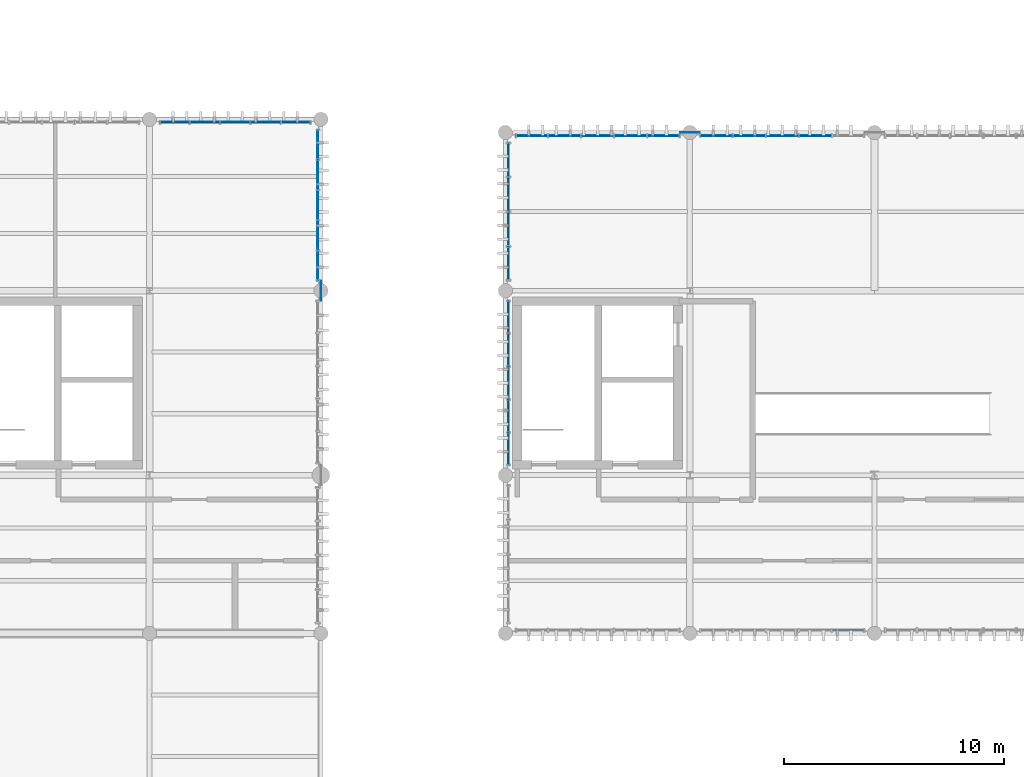
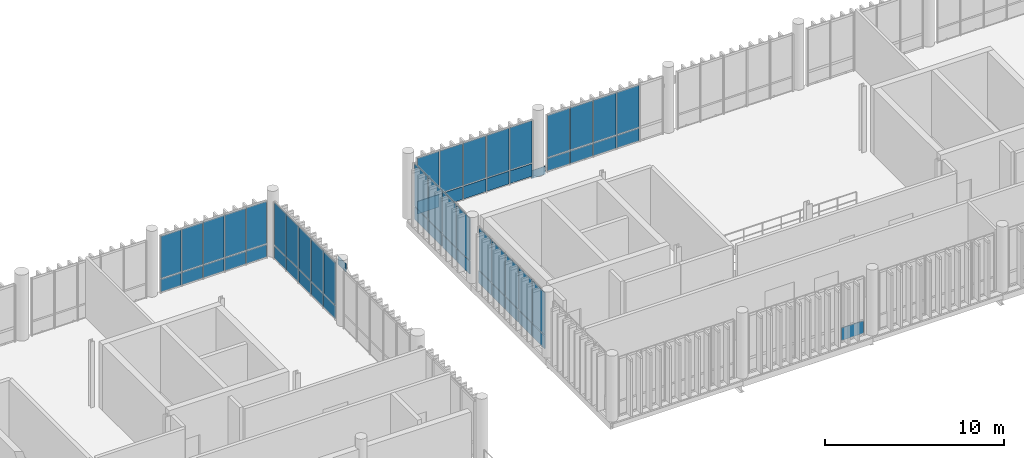
# One storey, part 51 of 66: 59 plates, 7 elements without a shape of their own.
"""IFC4 building model written with IfcOpenShell, lengths in metres."""

from ifc_helpers import new_model, si_unit, direction, frame, frame_2d, origin_with_axes, origin_2d_with_axis, place, context, subcontext, project, spatial, rectangle, extrude, material, layer, layer_set, type_object, element, aggregate, save


model = new_model("IFC4")

# Units and contexts
model_context = context("Model", 3, precision=1e-05, world=origin_with_axes(), true_north=direction((0.0, 1.0)))
body_context = subcontext(model_context, "Body", "Model", "MODEL_VIEW")
ifc_project = project(units=[si_unit("LENGTHUNIT", "METRE"), si_unit("AREAUNIT", "SQUARE_METRE"), si_unit("VOLUMEUNIT", "CUBIC_METRE"), si_unit("PLANEANGLEUNIT", "RADIAN"), si_unit("MASSUNIT", "GRAM", prefix="KILO"), si_unit("THERMODYNAMICTEMPERATUREUNIT", "KELVIN")], contexts=[model_context])

# Site, building, storey
site_placement = place(None, origin_with_axes())
site = spatial("IfcSite", under=ifc_project, at=site_placement, CompositionType="ELEMENT")
building_placement = place(site_placement, origin_with_axes())
building = spatial("IfcBuilding", under=site, at=building_placement, Name="Montbau Bow Law Courts", CompositionType="ELEMENT")
storey_placement = place(building_placement, frame((0.0, 0.0, 34.5), z_axis=(0.0, 0.0, 1.0), x_axis=(1.0, 0.0, 0.0)))
storey = spatial("IfcBuildingStorey", under=building, at=storey_placement, Name="L07", CompositionType="ELEMENT", Elevation=34.5)

# Curtain wall, plates
ifc_material_1 = material(Name="Thermally Broken Extruded Aluminium AA 6063-T6", Category="aluminium")
curtain_wall_type_1 = type_object("IfcCurtainWallType", Name="CW-TRC-02", PredefinedType="NOTDEFINED", material=ifc_material_1)
curtain_wall_1_placement = place(None, frame((39.44, 62.26, 34.5), z_axis=(0.0, 0.0, 1.0), x_axis=(1.0, 0.0, 0.0)))
curtain_wall_1 = element("IfcCurtainWall", 1, at=curtain_wall_1_placement, inside=storey, type_object=curtain_wall_type_1, Name="CW-L07-116:cw_0116", PredefinedType="NOTDEFINED")
ifc_material_2 = material(Name="Triple-Glazed Low-E Argon Insulating Glass Unit", Category="glass")
ifc_layer_1 = layer(ifc_material_2, 0.044, Name="Curtain Panel", Category="glass")
ifc_layer_set_1 = layer_set([ifc_layer_1], Name="Triple-Glazed Low-E Argon Insulating Glass Unit")
plate_type_1 = type_object("IfcPlateType", Name="PL-CWP-01", PredefinedType="CURTAIN_PANEL", material=ifc_layer_set_1)
plate_1_placement = place(None, frame((39.502, 62.26, 35.482), z_axis=(0.0, -1.0, 0.0), x_axis=(1.0, 0.0, 0.0)))
plate_1 = element("IfcPlate", 2, at=plate_1_placement, type_object=plate_type_1, Name="CW-L07-116-P01-2:cw_0116_P01_2", PredefinedType="CURTAIN_PANEL", context=body_context, shape_type="SweptSolid", body=[
    extrude(rectangle(XDim=1.29, YDim=2.876, at=frame_2d((0.645, 1.438), x_axis=(1.0, 0.0))), frame((0.0, 0.0, -0.022), z_axis=(0.0, 0.0, 1.0), x_axis=(1.0, 0.0, 0.0)), (0.0, 0.0, 1.0), 0.044),
])
plate_2_placement = place(None, frame((40.856, 62.26, 35.482), z_axis=(0.0, -1.0, 0.0), x_axis=(1.0, 0.0, 0.0)))
plate_2 = element("IfcPlate", 3, at=plate_2_placement, type_object=plate_type_1, Name="CW-L07-116-P02-2:cw_0116_P02_2", PredefinedType="CURTAIN_PANEL", context=body_context, shape_type="SweptSolid", body=[
    extrude(rectangle(XDim=1.32, YDim=2.876, at=frame_2d((0.66, 1.438), x_axis=(1.0, 0.0))), frame((0.0, 0.0, -0.022), z_axis=(0.0, 0.0, 1.0), x_axis=(1.0, 0.0, 0.0)), (0.0, 0.0, 1.0), 0.044),
])
plate_3_placement = place(None, frame((42.24, 62.26, 35.482), z_axis=(0.0, -1.0, 0.0), x_axis=(1.0, 0.0, 0.0)))
plate_3 = element("IfcPlate", 4, at=plate_3_placement, type_object=plate_type_1, Name="CW-L07-116-P03-2:cw_0116_P03_2", PredefinedType="CURTAIN_PANEL", context=body_context, shape_type="SweptSolid", body=[
    extrude(rectangle(XDim=1.32, YDim=2.876, at=frame_2d((0.66, 1.438), x_axis=(1.0, 0.0))), frame((0.0, 0.0, -0.022), z_axis=(0.0, 0.0, 1.0), x_axis=(1.0, 0.0, 0.0)), (0.0, 0.0, 1.0), 0.044),
])
plate_4_placement = place(None, frame((43.624, 62.26, 35.482), z_axis=(0.0, -1.0, 0.0), x_axis=(1.0, 0.0, 0.0)))
plate_4 = element("IfcPlate", 5, at=plate_4_placement, type_object=plate_type_1, Name="CW-L07-116-P04-2:cw_0116_P04_2", PredefinedType="CURTAIN_PANEL", context=body_context, shape_type="SweptSolid", body=[
    extrude(rectangle(XDim=1.32, YDim=2.876, at=frame_2d((0.66, 1.438), x_axis=(1.0, 0.0))), frame((0.0, 0.0, -0.022), z_axis=(0.0, 0.0, 1.0), x_axis=(1.0, 0.0, 0.0)), (0.0, 0.0, 1.0), 0.044),
])
plate_5_placement = place(None, frame((45.008, 62.26, 35.482), z_axis=(0.0, -1.0, 0.0), x_axis=(1.0, 0.0, 0.0)))
plate_5 = element("IfcPlate", 6, at=plate_5_placement, type_object=plate_type_1, Name="CW-L07-116-P05-2:cw_0116_P05_2", PredefinedType="CURTAIN_PANEL", context=body_context, shape_type="SweptSolid", body=[
    extrude(rectangle(XDim=1.29, YDim=2.876, at=frame_2d((0.645, 1.438), x_axis=(1.0, 0.0))), frame((0.0, 0.0, -0.022), z_axis=(0.0, 0.0, 1.0), x_axis=(1.0, 0.0, 0.0)), (0.0, 0.0, 1.0), 0.044),
])

curtain_wall_2_placement = place(None, frame((46.66, 55.04, 34.5), z_axis=(0.0, 0.0, 1.0), x_axis=(1.0, 0.0, 0.0)))
curtain_wall_2 = element("IfcCurtainWall", 7, at=curtain_wall_2_placement, inside=storey, type_object=curtain_wall_type_1, Name="CW-L07-122:cw_0122", PredefinedType="NOTDEFINED")
plate_6_placement = place(None, frame((46.66, 55.102, 35.482), z_axis=(1.0, 0.0, 0.0), x_axis=(0.0, 1.0, 0.0)))
plate_6 = element("IfcPlate", 8, at=plate_6_placement, type_object=plate_type_1, Name="CW-L07-122-P01-2:cw_0122_P01_2", PredefinedType="CURTAIN_PANEL", context=body_context, shape_type="SweptSolid", body=[
    extrude(rectangle(XDim=1.29, YDim=2.876, at=frame_2d((0.645, 1.438), x_axis=(1.0, 0.0))), frame((0.0, 0.0, -0.022), z_axis=(0.0, 0.0, 1.0), x_axis=(1.0, 0.0, 0.0)), (0.0, 0.0, 1.0), 0.044),
])
plate_7_placement = place(None, frame((46.66, 56.456, 35.482), z_axis=(1.0, 0.0, 0.0), x_axis=(0.0, 1.0, 0.0)))
plate_7 = element("IfcPlate", 9, at=plate_7_placement, type_object=plate_type_1, Name="CW-L07-122-P02-2:cw_0122_P02_2", PredefinedType="CURTAIN_PANEL", context=body_context, shape_type="SweptSolid", body=[
    extrude(rectangle(XDim=1.32, YDim=2.876, at=frame_2d((0.66, 1.438), x_axis=(1.0, 0.0))), frame((0.0, 0.0, -0.022), z_axis=(0.0, 0.0, 1.0), x_axis=(1.0, 0.0, 0.0)), (0.0, 0.0, 1.0), 0.044),
])
plate_8_placement = place(None, frame((46.66, 57.84, 35.482), z_axis=(1.0, 0.0, 0.0), x_axis=(0.0, 1.0, 0.0)))
plate_8 = element("IfcPlate", 10, at=plate_8_placement, type_object=plate_type_1, Name="CW-L07-122-P03-2:cw_0122_P03_2", PredefinedType="CURTAIN_PANEL", context=body_context, shape_type="SweptSolid", body=[
    extrude(rectangle(XDim=1.32, YDim=2.876, at=frame_2d((0.66, 1.438), x_axis=(1.0, 0.0))), frame((0.0, 0.0, -0.022), z_axis=(0.0, 0.0, 1.0), x_axis=(1.0, 0.0, 0.0)), (0.0, 0.0, 1.0), 0.044),
])
plate_9_placement = place(None, frame((46.66, 59.224, 35.482), z_axis=(1.0, 0.0, 0.0), x_axis=(0.0, 1.0, 0.0)))
plate_9 = element("IfcPlate", 11, at=plate_9_placement, type_object=plate_type_1, Name="CW-L07-122-P04-2:cw_0122_P04_2", PredefinedType="CURTAIN_PANEL", context=body_context, shape_type="SweptSolid", body=[
    extrude(rectangle(XDim=1.32, YDim=2.876, at=frame_2d((0.66, 1.438), x_axis=(1.0, 0.0))), frame((0.0, 0.0, -0.022), z_axis=(0.0, 0.0, 1.0), x_axis=(1.0, 0.0, 0.0)), (0.0, 0.0, 1.0), 0.044),
])
plate_10_placement = place(None, frame((46.66, 60.608, 35.482), z_axis=(1.0, 0.0, 0.0), x_axis=(0.0, 1.0, 0.0)))
plate_10 = element("IfcPlate", 12, at=plate_10_placement, type_object=plate_type_1, Name="CW-L07-122-P05-2:cw_0122_P05_2", PredefinedType="CURTAIN_PANEL", context=body_context, shape_type="SweptSolid", body=[
    extrude(rectangle(XDim=1.29, YDim=2.876, at=frame_2d((0.645, 1.438), x_axis=(1.0, 0.0))), frame((0.0, 0.0, -0.022), z_axis=(0.0, 0.0, 1.0), x_axis=(1.0, 0.0, 0.0)), (0.0, 0.0, 1.0), 0.044),
])

curtain_wall_type_2 = type_object("IfcCurtainWallType", Name="CW-CRM-02", PredefinedType="NOTDEFINED", material=ifc_material_1)
curtain_wall_3_placement = place(None, frame((55.64, 61.66, 34.5), z_axis=(0.0, 0.0, 1.0), x_axis=(1.0, 0.0, 0.0)))
curtain_wall_3 = element("IfcCurtainWall", 13, at=curtain_wall_3_placement, inside=storey, type_object=curtain_wall_type_2, Name="CW-L07-247:cw_0247", PredefinedType="NOTDEFINED")
plate_11_placement = place(None, frame((55.708, 61.66, 35.48), z_axis=(0.0, -1.0, 0.0), x_axis=(1.0, 0.0, 0.0)))
plate_11 = element("IfcPlate", 14, at=plate_11_placement, type_object=plate_type_1, Name="CW-L07-247-P01-2:cw_0247_P01_2", PredefinedType="CURTAIN_PANEL", context=body_context, shape_type="SweptSolid", body=[
    extrude(rectangle(XDim=1.402, YDim=2.882, at=frame_2d((0.701, 1.441), x_axis=(1.0, 0.0))), frame((0.0, 0.0, -0.022), z_axis=(0.0, 0.0, 1.0), x_axis=(1.0, 0.0, 0.0)), (0.0, 0.0, 1.0), 0.044),
])
plate_12_placement = place(None, frame((57.178, 61.66, 35.48), z_axis=(0.0, -1.0, 0.0), x_axis=(1.0, 0.0, 0.0)))
plate_12 = element("IfcPlate", 15, at=plate_12_placement, type_object=plate_type_1, Name="CW-L07-247-P02-2:cw_0247_P02_2", PredefinedType="CURTAIN_PANEL", context=body_context, shape_type="SweptSolid", body=[
    extrude(rectangle(XDim=1.436, YDim=2.882, at=frame_2d((0.718, 1.441), x_axis=(1.0, 0.0))), frame((0.0, 0.0, -0.022), z_axis=(0.0, 0.0, 1.0), x_axis=(1.0, 0.0, 0.0)), (0.0, 0.0, 1.0), 0.044),
])
plate_13_placement = place(None, frame((58.682, 61.66, 35.48), z_axis=(0.0, -1.0, 0.0), x_axis=(1.0, 0.0, 0.0)))
plate_13 = element("IfcPlate", 16, at=plate_13_placement, type_object=plate_type_1, Name="CW-L07-247-P03-2:cw_0247_P03_2", PredefinedType="CURTAIN_PANEL", context=body_context, shape_type="SweptSolid", body=[
    extrude(rectangle(XDim=1.436, YDim=2.882, at=frame_2d((0.718, 1.441), x_axis=(1.0, 0.0))), frame((0.0, 0.0, -0.022), z_axis=(0.0, 0.0, 1.0), x_axis=(1.0, 0.0, 0.0)), (0.0, 0.0, 1.0), 0.044),
])
plate_14_placement = place(None, frame((60.186, 61.66, 35.48), z_axis=(0.0, -1.0, 0.0), x_axis=(1.0, 0.0, 0.0)))
plate_14 = element("IfcPlate", 17, at=plate_14_placement, type_object=plate_type_1, Name="CW-L07-247-P04-2:cw_0247_P04_2", PredefinedType="CURTAIN_PANEL", context=body_context, shape_type="SweptSolid", body=[
    extrude(rectangle(XDim=1.436, YDim=2.882, at=frame_2d((0.718, 1.441), x_axis=(1.0, 0.0))), frame((0.0, 0.0, -0.022), z_axis=(0.0, 0.0, 1.0), x_axis=(1.0, 0.0, 0.0)), (0.0, 0.0, 1.0), 0.044),
])
plate_15_placement = place(None, frame((61.69, 61.66, 35.48), z_axis=(0.0, -1.0, 0.0), x_axis=(1.0, 0.0, 0.0)))
plate_15 = element("IfcPlate", 18, at=plate_15_placement, type_object=plate_type_1, Name="CW-L07-247-P05-2:cw_0247_P05_2", PredefinedType="CURTAIN_PANEL", context=body_context, shape_type="SweptSolid", body=[
    extrude(rectangle(XDim=1.403, YDim=2.882, at=frame_2d((0.7015, 1.441), x_axis=(1.0, 0.0))), frame((0.0, 0.0, -0.022), z_axis=(0.0, 0.0, 1.0), x_axis=(1.0, 0.0, 0.0)), (0.0, 0.0, 1.0), 0.044),
])

curtain_wall_4_placement = place(None, frame((64.04, 61.66, 34.5), z_axis=(0.0, 0.0, 1.0), x_axis=(1.0, 0.0, 0.0)))
curtain_wall_4 = element("IfcCurtainWall", 19, at=curtain_wall_4_placement, inside=storey, type_object=curtain_wall_type_2, Name="CW-L07-248:cw_0248", PredefinedType="NOTDEFINED")
plate_16_placement = place(None, frame((64.102, 61.66, 35.482), z_axis=(0.0, -1.0, 0.0), x_axis=(1.0, 0.0, 0.0)))
plate_16 = element("IfcPlate", 20, at=plate_16_placement, type_object=plate_type_1, Name="CW-L07-248-P01-2:cw_0248_P01_2", PredefinedType="CURTAIN_PANEL", context=body_context, shape_type="SweptSolid", body=[
    extrude(rectangle(XDim=1.41, YDim=2.876, at=frame_2d((0.705, 1.438), x_axis=(1.0, 0.0))), frame((0.0, 0.0, -0.022), z_axis=(0.0, 0.0, 1.0), x_axis=(1.0, 0.0, 0.0)), (0.0, 0.0, 1.0), 0.044),
])
plate_17_placement = place(None, frame((65.576, 61.66, 35.482), z_axis=(0.0, -1.0, 0.0), x_axis=(1.0, 0.0, 0.0)))
plate_17 = element("IfcPlate", 21, at=plate_17_placement, type_object=plate_type_1, Name="CW-L07-248-P02-2:cw_0248_P02_2", PredefinedType="CURTAIN_PANEL", context=body_context, shape_type="SweptSolid", body=[
    extrude(rectangle(XDim=1.44, YDim=2.876, at=frame_2d((0.72, 1.438), x_axis=(1.0, 0.0))), frame((0.0, 0.0, -0.022), z_axis=(0.0, 0.0, 1.0), x_axis=(1.0, 0.0, 0.0)), (0.0, 0.0, 1.0), 0.044),
])
plate_18_placement = place(None, frame((67.08, 61.66, 35.482), z_axis=(0.0, -1.0, 0.0), x_axis=(1.0, 0.0, 0.0)))
plate_18 = element("IfcPlate", 22, at=plate_18_placement, type_object=plate_type_1, Name="CW-L07-248-P03-2:cw_0248_P03_2", PredefinedType="CURTAIN_PANEL", context=body_context, shape_type="SweptSolid", body=[
    extrude(rectangle(XDim=1.44, YDim=2.876, at=frame_2d((0.72, 1.438), x_axis=(1.0, 0.0))), frame((0.0, 0.0, -0.022), z_axis=(0.0, 0.0, 1.0), x_axis=(1.0, 0.0, 0.0)), (0.0, 0.0, 1.0), 0.044),
])
plate_19_placement = place(None, frame((68.584, 61.66, 35.482), z_axis=(0.0, -1.0, 0.0), x_axis=(1.0, 0.0, 0.0)))
plate_19 = element("IfcPlate", 23, at=plate_19_placement, type_object=plate_type_1, Name="CW-L07-248-P04-2:cw_0248_P04_2", PredefinedType="CURTAIN_PANEL", context=body_context, shape_type="SweptSolid", body=[
    extrude(rectangle(XDim=1.44, YDim=2.876, at=frame_2d((0.72, 1.438), x_axis=(1.0, 0.0))), frame((0.0, 0.0, -0.022), z_axis=(0.0, 0.0, 1.0), x_axis=(1.0, 0.0, 0.0)), (0.0, 0.0, 1.0), 0.044),
])

curtain_wall_5_placement = place(None, frame((55.34, 46.64, 34.5), z_axis=(0.0, 0.0, 1.0), x_axis=(1.0, 0.0, 0.0)))
curtain_wall_5 = element("IfcCurtainWall", 24, at=curtain_wall_5_placement, inside=storey, type_object=curtain_wall_type_2, Name="CW-L07-254:cw_0254", PredefinedType="NOTDEFINED")
plate_20_placement = place(None, frame((55.34, 46.702, 35.482), z_axis=(1.0, 0.0, 0.0), x_axis=(0.0, 1.0, 0.0)))
plate_20 = element("IfcPlate", 25, at=plate_20_placement, type_object=plate_type_1, Name="CW-L07-254-P01-2:cw_0254_P01_2", PredefinedType="CURTAIN_PANEL", context=body_context, shape_type="SweptSolid", body=[
    extrude(rectangle(XDim=1.41, YDim=2.876, at=frame_2d((0.705, 1.438), x_axis=(1.0, 0.0))), frame((0.0, 0.0, -0.022), z_axis=(0.0, 0.0, 1.0), x_axis=(1.0, 0.0, 0.0)), (0.0, 0.0, 1.0), 0.044),
])
plate_21_placement = place(None, frame((55.34, 48.176, 35.482), z_axis=(1.0, 0.0, 0.0), x_axis=(0.0, 1.0, 0.0)))
plate_21 = element("IfcPlate", 26, at=plate_21_placement, type_object=plate_type_1, Name="CW-L07-254-P02-2:cw_0254_P02_2", PredefinedType="CURTAIN_PANEL", context=body_context, shape_type="SweptSolid", body=[
    extrude(rectangle(XDim=1.44, YDim=2.876, at=frame_2d((0.72, 1.438), x_axis=(1.0, 0.0))), frame((0.0, 0.0, -0.022), z_axis=(0.0, 0.0, 1.0), x_axis=(1.0, 0.0, 0.0)), (0.0, 0.0, 1.0), 0.044),
])
plate_22_placement = place(None, frame((55.34, 49.68, 35.482), z_axis=(1.0, 0.0, 0.0), x_axis=(0.0, 1.0, 0.0)))
plate_22 = element("IfcPlate", 27, at=plate_22_placement, type_object=plate_type_1, Name="CW-L07-254-P03-2:cw_0254_P03_2", PredefinedType="CURTAIN_PANEL", context=body_context, shape_type="SweptSolid", body=[
    extrude(rectangle(XDim=1.44, YDim=2.876, at=frame_2d((0.72, 1.438), x_axis=(1.0, 0.0))), frame((0.0, 0.0, -0.022), z_axis=(0.0, 0.0, 1.0), x_axis=(1.0, 0.0, 0.0)), (0.0, 0.0, 1.0), 0.044),
])
plate_23_placement = place(None, frame((55.34, 51.184, 35.482), z_axis=(1.0, 0.0, 0.0), x_axis=(0.0, 1.0, 0.0)))
plate_23 = element("IfcPlate", 28, at=plate_23_placement, type_object=plate_type_1, Name="CW-L07-254-P04-2:cw_0254_P04_2", PredefinedType="CURTAIN_PANEL", context=body_context, shape_type="SweptSolid", body=[
    extrude(rectangle(XDim=1.44, YDim=2.876, at=frame_2d((0.72, 1.438), x_axis=(1.0, 0.0))), frame((0.0, 0.0, -0.022), z_axis=(0.0, 0.0, 1.0), x_axis=(1.0, 0.0, 0.0)), (0.0, 0.0, 1.0), 0.044),
])
plate_24_placement = place(None, frame((55.34, 52.688, 35.482), z_axis=(1.0, 0.0, 0.0), x_axis=(0.0, 1.0, 0.0)))
plate_24 = element("IfcPlate", 29, at=plate_24_placement, type_object=plate_type_1, Name="CW-L07-254-P05-2:cw_0254_P05_2", PredefinedType="CURTAIN_PANEL", context=body_context, shape_type="SweptSolid", body=[
    extrude(rectangle(XDim=1.41, YDim=2.876, at=frame_2d((0.705, 1.438), x_axis=(1.0, 0.0))), frame((0.0, 0.0, -0.022), z_axis=(0.0, 0.0, 1.0), x_axis=(1.0, 0.0, 0.0)), (0.0, 0.0, 1.0), 0.044),
])

curtain_wall_6_placement = place(None, frame((55.34, 55.04, 34.5), z_axis=(0.0, 0.0, 1.0), x_axis=(1.0, 0.0, 0.0)))
curtain_wall_6 = element("IfcCurtainWall", 30, at=curtain_wall_6_placement, inside=storey, type_object=curtain_wall_type_2, Name="CW-L07-255:cw_0255", PredefinedType="NOTDEFINED")
plate_25_placement = place(None, frame((55.34, 55.116, 35.48), z_axis=(1.0, 0.0, 0.0), x_axis=(0.0, 1.0, 0.0)))
plate_25 = element("IfcPlate", 31, at=plate_25_placement, type_object=plate_type_1, Name="CW-L07-255-P01-2:cw_0255_P01_2", PredefinedType="CURTAIN_PANEL", context=body_context, shape_type="SweptSolid", body=[
    extrude(rectangle(XDim=1.464, YDim=2.882, at=frame_2d((0.732, 1.441), x_axis=(1.0, 0.0))), frame((0.0, 0.0, -0.022), z_axis=(0.0, 0.0, 1.0), x_axis=(1.0, 0.0, 0.0)), (0.0, 0.0, 1.0), 0.044),
])
plate_26_placement = place(None, frame((55.34, 56.66, 35.48), z_axis=(1.0, 0.0, 0.0), x_axis=(0.0, 1.0, 0.0)))
plate_26 = element("IfcPlate", 32, at=plate_26_placement, type_object=plate_type_1, Name="CW-L07-255-P02-2:cw_0255_P02_2", PredefinedType="CURTAIN_PANEL", context=body_context, shape_type="SweptSolid", body=[
    extrude(rectangle(XDim=1.501, YDim=2.882, at=frame_2d((0.7505, 1.441), x_axis=(1.0, 0.0))), frame((0.0, 0.0, -0.022), z_axis=(0.0, 0.0, 1.0), x_axis=(1.0, 0.0, 0.0)), (0.0, 0.0, 1.0), 0.044),
])
plate_27_placement = place(None, frame((55.34, 58.24, 35.48), z_axis=(1.0, 0.0, 0.0), x_axis=(0.0, 1.0, 0.0)))
plate_27 = element("IfcPlate", 33, at=plate_27_placement, type_object=plate_type_1, Name="CW-L07-255-P03-2:cw_0255_P03_2", PredefinedType="CURTAIN_PANEL", context=body_context, shape_type="SweptSolid", body=[
    extrude(rectangle(XDim=1.501, YDim=2.882, at=frame_2d((0.7505, 1.441), x_axis=(1.0, 0.0))), frame((0.0, 0.0, -0.022), z_axis=(0.0, 0.0, 1.0), x_axis=(1.0, 0.0, 0.0)), (0.0, 0.0, 1.0), 0.044),
])
plate_28_placement = place(None, frame((55.34, 59.819, 35.48), z_axis=(1.0, 0.0, 0.0), x_axis=(0.0, 1.0, 0.0)))
plate_28 = element("IfcPlate", 34, at=plate_28_placement, type_object=plate_type_1, Name="CW-L07-255-P04-2:cw_0255_P04_2", PredefinedType="CURTAIN_PANEL", context=body_context, shape_type="SweptSolid", body=[
    extrude(rectangle(XDim=1.465, YDim=2.882, at=frame_2d((0.7325, 1.441), x_axis=(1.0, 0.0))), frame((0.0, 0.0, -0.022), z_axis=(0.0, 0.0, 1.0), x_axis=(1.0, 0.0, 0.0)), (0.0, 0.0, 1.0), 0.044),
])

# Plate
ifc_material_3 = material(Name="Insulated Ceramic-Frit Spandrel Glazing Unit", Category="glass")
ifc_layer_2 = layer(ifc_material_3, 0.056, Name="Curtain Panel", Category="glass")
ifc_layer_set_2 = layer_set([ifc_layer_2], Name="Insulated Ceramic-Frit Spandrel Glazing Unit")
plate_type_2 = type_object("IfcPlateType", Name="PL-CWP-02", PredefinedType="CURTAIN_PANEL", material=ifc_layer_set_2)
plate_29_placement = place(None, frame((39.502, 62.26, 34.562), z_axis=(0.0, -1.0, 0.0), x_axis=(1.0, 0.0, 0.0)))
plate_29 = element("IfcPlate", 35, at=plate_29_placement, type_object=plate_type_2, Name="CW-L07-116-P01-1:cw_0116_P01_1", PredefinedType="CURTAIN_PANEL", context=body_context, shape_type="SweptSolid", body=[
    extrude(rectangle(XDim=1.29, YDim=0.856, at=frame_2d((0.645, 0.428), x_axis=(1.0, 0.0))), frame((0.0, 0.0, -0.028), z_axis=(0.0, 0.0, 1.0), x_axis=(1.0, 0.0, 0.0)), (0.0, 0.0, 1.0), 0.056),
])

plate_30_placement = place(None, frame((40.856, 62.26, 34.562), z_axis=(0.0, -1.0, 0.0), x_axis=(1.0, 0.0, 0.0)))
plate_30 = element("IfcPlate", 36, at=plate_30_placement, type_object=plate_type_2, Name="CW-L07-116-P02-1:cw_0116_P02_1", PredefinedType="CURTAIN_PANEL", context=body_context, shape_type="SweptSolid", body=[
    extrude(rectangle(XDim=1.32, YDim=0.856, at=frame_2d((0.66, 0.428), x_axis=(1.0, 0.0))), frame((0.0, 0.0, -0.028), z_axis=(0.0, 0.0, 1.0), x_axis=(1.0, 0.0, 0.0)), (0.0, 0.0, 1.0), 0.056),
])

plate_31_placement = place(None, frame((42.24, 62.26, 34.562), z_axis=(0.0, -1.0, 0.0), x_axis=(1.0, 0.0, 0.0)))
plate_31 = element("IfcPlate", 37, at=plate_31_placement, type_object=plate_type_2, Name="CW-L07-116-P03-1:cw_0116_P03_1", PredefinedType="CURTAIN_PANEL", context=body_context, shape_type="SweptSolid", body=[
    extrude(rectangle(XDim=1.32, YDim=0.856, at=frame_2d((0.66, 0.428), x_axis=(1.0, 0.0))), frame((0.0, 0.0, -0.028), z_axis=(0.0, 0.0, 1.0), x_axis=(1.0, 0.0, 0.0)), (0.0, 0.0, 1.0), 0.056),
])

plate_32_placement = place(None, frame((43.624, 62.26, 34.562), z_axis=(0.0, -1.0, 0.0), x_axis=(1.0, 0.0, 0.0)))
plate_32 = element("IfcPlate", 38, at=plate_32_placement, type_object=plate_type_2, Name="CW-L07-116-P04-1:cw_0116_P04_1", PredefinedType="CURTAIN_PANEL", context=body_context, shape_type="SweptSolid", body=[
    extrude(rectangle(XDim=1.32, YDim=0.856, at=frame_2d((0.66, 0.428), x_axis=(1.0, 0.0))), frame((0.0, 0.0, -0.028), z_axis=(0.0, 0.0, 1.0), x_axis=(1.0, 0.0, 0.0)), (0.0, 0.0, 1.0), 0.056),
])

plate_33_placement = place(None, frame((45.008, 62.26, 34.562), z_axis=(0.0, -1.0, 0.0), x_axis=(1.0, 0.0, 0.0)))
plate_33 = element("IfcPlate", 39, at=plate_33_placement, type_object=plate_type_2, Name="CW-L07-116-P05-1:cw_0116_P05_1", PredefinedType="CURTAIN_PANEL", context=body_context, shape_type="SweptSolid", body=[
    extrude(rectangle(XDim=1.29, YDim=0.856, at=frame_2d((0.645, 0.428), x_axis=(1.0, 0.0))), frame((0.0, 0.0, -0.028), z_axis=(0.0, 0.0, 1.0), x_axis=(1.0, 0.0, 0.0)), (0.0, 0.0, 1.0), 0.056),
])

aggregate(curtain_wall_1, [plate_29, plate_1, plate_30, plate_2, plate_31, plate_3, plate_32, plate_4, plate_33, plate_5])

plate_34_placement = place(None, frame((46.66, 55.102, 34.562), z_axis=(1.0, 0.0, 0.0), x_axis=(0.0, 1.0, 0.0)))
plate_34 = element("IfcPlate", 40, at=plate_34_placement, type_object=plate_type_2, Name="CW-L07-122-P01-1:cw_0122_P01_1", PredefinedType="CURTAIN_PANEL", context=body_context, shape_type="SweptSolid", body=[
    extrude(rectangle(XDim=1.29, YDim=0.856, at=frame_2d((0.645, 0.428), x_axis=(1.0, 0.0))), frame((0.0, 0.0, -0.028), z_axis=(0.0, 0.0, 1.0), x_axis=(1.0, 0.0, 0.0)), (0.0, 0.0, 1.0), 0.056),
])

plate_35_placement = place(None, frame((46.66, 56.456, 34.562), z_axis=(1.0, 0.0, 0.0), x_axis=(0.0, 1.0, 0.0)))
plate_35 = element("IfcPlate", 41, at=plate_35_placement, type_object=plate_type_2, Name="CW-L07-122-P02-1:cw_0122_P02_1", PredefinedType="CURTAIN_PANEL", context=body_context, shape_type="SweptSolid", body=[
    extrude(rectangle(XDim=1.32, YDim=0.856, at=frame_2d((0.66, 0.428), x_axis=(1.0, 0.0))), frame((0.0, 0.0, -0.028), z_axis=(0.0, 0.0, 1.0), x_axis=(1.0, 0.0, 0.0)), (0.0, 0.0, 1.0), 0.056),
])

plate_36_placement = place(None, frame((46.66, 57.84, 34.562), z_axis=(1.0, 0.0, 0.0), x_axis=(0.0, 1.0, 0.0)))
plate_36 = element("IfcPlate", 42, at=plate_36_placement, type_object=plate_type_2, Name="CW-L07-122-P03-1:cw_0122_P03_1", PredefinedType="CURTAIN_PANEL", context=body_context, shape_type="SweptSolid", body=[
    extrude(rectangle(XDim=1.32, YDim=0.856, at=frame_2d((0.66, 0.428), x_axis=(1.0, 0.0))), frame((0.0, 0.0, -0.028), z_axis=(0.0, 0.0, 1.0), x_axis=(1.0, 0.0, 0.0)), (0.0, 0.0, 1.0), 0.056),
])

plate_37_placement = place(None, frame((46.66, 59.224, 34.562), z_axis=(1.0, 0.0, 0.0), x_axis=(0.0, 1.0, 0.0)))
plate_37 = element("IfcPlate", 43, at=plate_37_placement, type_object=plate_type_2, Name="CW-L07-122-P04-1:cw_0122_P04_1", PredefinedType="CURTAIN_PANEL", context=body_context, shape_type="SweptSolid", body=[
    extrude(rectangle(XDim=1.32, YDim=0.856, at=frame_2d((0.66, 0.428), x_axis=(1.0, 0.0))), frame((0.0, 0.0, -0.028), z_axis=(0.0, 0.0, 1.0), x_axis=(1.0, 0.0, 0.0)), (0.0, 0.0, 1.0), 0.056),
])

plate_38_placement = place(None, frame((46.66, 60.608, 34.562), z_axis=(1.0, 0.0, 0.0), x_axis=(0.0, 1.0, 0.0)))
plate_38 = element("IfcPlate", 44, at=plate_38_placement, type_object=plate_type_2, Name="CW-L07-122-P05-1:cw_0122_P05_1", PredefinedType="CURTAIN_PANEL", context=body_context, shape_type="SweptSolid", body=[
    extrude(rectangle(XDim=1.29, YDim=0.856, at=frame_2d((0.645, 0.428), x_axis=(1.0, 0.0))), frame((0.0, 0.0, -0.028), z_axis=(0.0, 0.0, 1.0), x_axis=(1.0, 0.0, 0.0)), (0.0, 0.0, 1.0), 0.056),
])

aggregate(curtain_wall_2, [plate_34, plate_6, plate_35, plate_7, plate_36, plate_8, plate_37, plate_9, plate_38, plate_10])

# Curtain wall, plate
curtain_wall_7_placement = place(None, frame((64.04, 39.14, 34.5), z_axis=(0.0, 0.0, 1.0), x_axis=(1.0, 0.0, 0.0)))
curtain_wall_7 = element("IfcCurtainWall", 45, at=curtain_wall_7_placement, inside=storey, type_object=curtain_wall_type_2, Name="CW-L07-242:cw_0242", PredefinedType="NOTDEFINED")
plate_39_placement = place(None, frame((70.088, 39.14, 34.562), z_axis=(0.0, -1.0, 0.0), x_axis=(1.0, 0.0, 0.0)))
plate_39 = element("IfcPlate", 46, at=plate_39_placement, type_object=plate_type_2, Name="CW-L07-242-P05-1:cw_0242_P05_1", PredefinedType="CURTAIN_PANEL", context=body_context, shape_type="SweptSolid", body=[
    extrude(rectangle(XDim=1.41, YDim=0.856, at=frame_2d((0.705, 0.428), x_axis=(1.0, 0.0))), frame((0.0, 0.0, -0.028), z_axis=(0.0, 0.0, 1.0), x_axis=(1.0, 0.0, 0.0)), (0.0, 0.0, 1.0), 0.056),
])
aggregate(curtain_wall_7, [plate_39])

# Plate
plate_40_placement = place(None, frame((55.708, 61.66, 34.558), z_axis=(0.0, -1.0, 0.0), x_axis=(1.0, 0.0, 0.0)))
plate_40 = element("IfcPlate", 47, at=plate_40_placement, type_object=plate_type_2, Name="CW-L07-247-P01-1:cw_0247_P01_1", PredefinedType="CURTAIN_PANEL", context=body_context, shape_type="SweptSolid", body=[
    extrude(rectangle(XDim=1.402, YDim=0.862, at=frame_2d((0.701, 0.431), x_axis=(1.0, 0.0))), frame((0.0, 0.0, -0.028), z_axis=(0.0, 0.0, 1.0), x_axis=(1.0, 0.0, 0.0)), (0.0, 0.0, 1.0), 0.056),
])

plate_41_placement = place(None, frame((57.178, 61.66, 34.558), z_axis=(0.0, -1.0, 0.0), x_axis=(1.0, 0.0, 0.0)))
plate_41 = element("IfcPlate", 48, at=plate_41_placement, type_object=plate_type_2, Name="CW-L07-247-P02-1:cw_0247_P02_1", PredefinedType="CURTAIN_PANEL", context=body_context, shape_type="SweptSolid", body=[
    extrude(rectangle(XDim=1.436, YDim=0.862, at=frame_2d((0.718, 0.431), x_axis=(1.0, 0.0))), frame((0.0, 0.0, -0.028), z_axis=(0.0, 0.0, 1.0), x_axis=(1.0, 0.0, 0.0)), (0.0, 0.0, 1.0), 0.056),
])

plate_42_placement = place(None, frame((58.682, 61.66, 34.558), z_axis=(0.0, -1.0, 0.0), x_axis=(1.0, 0.0, 0.0)))
plate_42 = element("IfcPlate", 49, at=plate_42_placement, type_object=plate_type_2, Name="CW-L07-247-P03-1:cw_0247_P03_1", PredefinedType="CURTAIN_PANEL", context=body_context, shape_type="SweptSolid", body=[
    extrude(rectangle(XDim=1.436, YDim=0.862, at=frame_2d((0.718, 0.431), x_axis=(1.0, 0.0))), frame((0.0, 0.0, -0.028), z_axis=(0.0, 0.0, 1.0), x_axis=(1.0, 0.0, 0.0)), (0.0, 0.0, 1.0), 0.056),
])

plate_43_placement = place(None, frame((60.186, 61.66, 34.558), z_axis=(0.0, -1.0, 0.0), x_axis=(1.0, 0.0, 0.0)))
plate_43 = element("IfcPlate", 50, at=plate_43_placement, type_object=plate_type_2, Name="CW-L07-247-P04-1:cw_0247_P04_1", PredefinedType="CURTAIN_PANEL", context=body_context, shape_type="SweptSolid", body=[
    extrude(rectangle(XDim=1.436, YDim=0.862, at=frame_2d((0.718, 0.431), x_axis=(1.0, 0.0))), frame((0.0, 0.0, -0.028), z_axis=(0.0, 0.0, 1.0), x_axis=(1.0, 0.0, 0.0)), (0.0, 0.0, 1.0), 0.056),
])

plate_44_placement = place(None, frame((61.69, 61.66, 34.558), z_axis=(0.0, -1.0, 0.0), x_axis=(1.0, 0.0, 0.0)))
plate_44 = element("IfcPlate", 51, at=plate_44_placement, type_object=plate_type_2, Name="CW-L07-247-P05-1:cw_0247_P05_1", PredefinedType="CURTAIN_PANEL", context=body_context, shape_type="SweptSolid", body=[
    extrude(rectangle(XDim=1.403, YDim=0.862, at=frame_2d((0.7015, 0.431), x_axis=(1.0, 0.0))), frame((0.0, 0.0, -0.028), z_axis=(0.0, 0.0, 1.0), x_axis=(1.0, 0.0, 0.0)), (0.0, 0.0, 1.0), 0.056),
])

aggregate(curtain_wall_3, [plate_40, plate_11, plate_41, plate_12, plate_42, plate_13, plate_43, plate_14, plate_44, plate_15])

plate_45_placement = place(None, frame((64.102, 61.66, 34.562), z_axis=(0.0, -1.0, 0.0), x_axis=(1.0, 0.0, 0.0)))
plate_45 = element("IfcPlate", 52, at=plate_45_placement, type_object=plate_type_2, Name="CW-L07-248-P01-1:cw_0248_P01_1", PredefinedType="CURTAIN_PANEL", context=body_context, shape_type="SweptSolid", body=[
    extrude(rectangle(XDim=1.41, YDim=0.856, at=frame_2d((0.705, 0.428), x_axis=(1.0, 0.0))), frame((0.0, 0.0, -0.028), z_axis=(0.0, 0.0, 1.0), x_axis=(1.0, 0.0, 0.0)), (0.0, 0.0, 1.0), 0.056),
])

plate_46_placement = place(None, frame((65.576, 61.66, 34.562), z_axis=(0.0, -1.0, 0.0), x_axis=(1.0, 0.0, 0.0)))
plate_46 = element("IfcPlate", 53, at=plate_46_placement, type_object=plate_type_2, Name="CW-L07-248-P02-1:cw_0248_P02_1", PredefinedType="CURTAIN_PANEL", context=body_context, shape_type="SweptSolid", body=[
    extrude(rectangle(XDim=1.44, YDim=0.856, at=frame_2d((0.72, 0.428), x_axis=(1.0, 0.0))), frame((0.0, 0.0, -0.028), z_axis=(0.0, 0.0, 1.0), x_axis=(1.0, 0.0, 0.0)), (0.0, 0.0, 1.0), 0.056),
])

plate_47_placement = place(None, frame((67.08, 61.66, 34.562), z_axis=(0.0, -1.0, 0.0), x_axis=(1.0, 0.0, 0.0)))
plate_47 = element("IfcPlate", 54, at=plate_47_placement, type_object=plate_type_2, Name="CW-L07-248-P03-1:cw_0248_P03_1", PredefinedType="CURTAIN_PANEL", context=body_context, shape_type="SweptSolid", body=[
    extrude(rectangle(XDim=1.44, YDim=0.856, at=frame_2d((0.72, 0.428), x_axis=(1.0, 0.0))), frame((0.0, 0.0, -0.028), z_axis=(0.0, 0.0, 1.0), x_axis=(1.0, 0.0, 0.0)), (0.0, 0.0, 1.0), 0.056),
])

plate_48_placement = place(None, frame((68.584, 61.66, 34.562), z_axis=(0.0, -1.0, 0.0), x_axis=(1.0, 0.0, 0.0)))
plate_48 = element("IfcPlate", 55, at=plate_48_placement, type_object=plate_type_2, Name="CW-L07-248-P04-1:cw_0248_P04_1", PredefinedType="CURTAIN_PANEL", context=body_context, shape_type="SweptSolid", body=[
    extrude(rectangle(XDim=1.44, YDim=0.856, at=frame_2d((0.72, 0.428), x_axis=(1.0, 0.0))), frame((0.0, 0.0, -0.028), z_axis=(0.0, 0.0, 1.0), x_axis=(1.0, 0.0, 0.0)), (0.0, 0.0, 1.0), 0.056),
])

aggregate(curtain_wall_4, [plate_45, plate_16, plate_46, plate_17, plate_47, plate_18, plate_48, plate_19])

plate_49_placement = place(None, frame((55.34, 46.702, 34.562), z_axis=(1.0, 0.0, 0.0), x_axis=(0.0, 1.0, 0.0)))
plate_49 = element("IfcPlate", 56, at=plate_49_placement, type_object=plate_type_2, Name="CW-L07-254-P01-1:cw_0254_P01_1", PredefinedType="CURTAIN_PANEL", context=body_context, shape_type="SweptSolid", body=[
    extrude(rectangle(XDim=1.41, YDim=0.856, at=frame_2d((0.705, 0.428), x_axis=(1.0, 0.0))), frame((0.0, 0.0, -0.028), z_axis=(0.0, 0.0, 1.0), x_axis=(1.0, 0.0, 0.0)), (0.0, 0.0, 1.0), 0.056),
])

plate_50_placement = place(None, frame((55.34, 48.176, 34.562), z_axis=(1.0, 0.0, 0.0), x_axis=(0.0, 1.0, 0.0)))
plate_50 = element("IfcPlate", 57, at=plate_50_placement, type_object=plate_type_2, Name="CW-L07-254-P02-1:cw_0254_P02_1", PredefinedType="CURTAIN_PANEL", context=body_context, shape_type="SweptSolid", body=[
    extrude(rectangle(XDim=1.44, YDim=0.856, at=frame_2d((0.72, 0.428), x_axis=(1.0, 0.0))), frame((0.0, 0.0, -0.028), z_axis=(0.0, 0.0, 1.0), x_axis=(1.0, 0.0, 0.0)), (0.0, 0.0, 1.0), 0.056),
])

plate_51_placement = place(None, frame((55.34, 49.68, 34.562), z_axis=(1.0, 0.0, 0.0), x_axis=(0.0, 1.0, 0.0)))
plate_51 = element("IfcPlate", 58, at=plate_51_placement, type_object=plate_type_2, Name="CW-L07-254-P03-1:cw_0254_P03_1", PredefinedType="CURTAIN_PANEL", context=body_context, shape_type="SweptSolid", body=[
    extrude(rectangle(XDim=1.44, YDim=0.856, at=frame_2d((0.72, 0.428), x_axis=(1.0, 0.0))), frame((0.0, 0.0, -0.028), z_axis=(0.0, 0.0, 1.0), x_axis=(1.0, 0.0, 0.0)), (0.0, 0.0, 1.0), 0.056),
])

plate_52_placement = place(None, frame((55.34, 51.184, 34.562), z_axis=(1.0, 0.0, 0.0), x_axis=(0.0, 1.0, 0.0)))
plate_52 = element("IfcPlate", 59, at=plate_52_placement, type_object=plate_type_2, Name="CW-L07-254-P04-1:cw_0254_P04_1", PredefinedType="CURTAIN_PANEL", context=body_context, shape_type="SweptSolid", body=[
    extrude(rectangle(XDim=1.44, YDim=0.856, at=frame_2d((0.72, 0.428), x_axis=(1.0, 0.0))), frame((0.0, 0.0, -0.028), z_axis=(0.0, 0.0, 1.0), x_axis=(1.0, 0.0, 0.0)), (0.0, 0.0, 1.0), 0.056),
])

plate_53_placement = place(None, frame((55.34, 52.688, 34.562), z_axis=(1.0, 0.0, 0.0), x_axis=(0.0, 1.0, 0.0)))
plate_53 = element("IfcPlate", 60, at=plate_53_placement, type_object=plate_type_2, Name="CW-L07-254-P05-1:cw_0254_P05_1", PredefinedType="CURTAIN_PANEL", context=body_context, shape_type="SweptSolid", body=[
    extrude(rectangle(XDim=1.41, YDim=0.856, at=frame_2d((0.705, 0.428), x_axis=(1.0, 0.0))), frame((0.0, 0.0, -0.028), z_axis=(0.0, 0.0, 1.0), x_axis=(1.0, 0.0, 0.0)), (0.0, 0.0, 1.0), 0.056),
])

aggregate(curtain_wall_5, [plate_49, plate_20, plate_50, plate_21, plate_51, plate_22, plate_52, plate_23, plate_53, plate_24])

plate_54_placement = place(None, frame((55.34, 55.116, 34.558), z_axis=(1.0, 0.0, 0.0), x_axis=(0.0, 1.0, 0.0)))
plate_54 = element("IfcPlate", 61, at=plate_54_placement, type_object=plate_type_2, Name="CW-L07-255-P01-1:cw_0255_P01_1", PredefinedType="CURTAIN_PANEL", context=body_context, shape_type="SweptSolid", body=[
    extrude(rectangle(XDim=1.464, YDim=0.862, at=frame_2d((0.732, 0.431), x_axis=(1.0, 0.0))), frame((0.0, 0.0, -0.028), z_axis=(0.0, 0.0, 1.0), x_axis=(1.0, 0.0, 0.0)), (0.0, 0.0, 1.0), 0.056),
])

plate_55_placement = place(None, frame((55.34, 56.66, 34.558), z_axis=(1.0, 0.0, 0.0), x_axis=(0.0, 1.0, 0.0)))
plate_55 = element("IfcPlate", 62, at=plate_55_placement, type_object=plate_type_2, Name="CW-L07-255-P02-1:cw_0255_P02_1", PredefinedType="CURTAIN_PANEL", context=body_context, shape_type="SweptSolid", body=[
    extrude(rectangle(XDim=1.501, YDim=0.862, at=frame_2d((0.7505, 0.431), x_axis=(1.0, 0.0))), frame((0.0, 0.0, -0.028), z_axis=(0.0, 0.0, 1.0), x_axis=(1.0, 0.0, 0.0)), (0.0, 0.0, 1.0), 0.056),
])

plate_56_placement = place(None, frame((55.34, 58.24, 34.558), z_axis=(1.0, 0.0, 0.0), x_axis=(0.0, 1.0, 0.0)))
plate_56 = element("IfcPlate", 63, at=plate_56_placement, type_object=plate_type_2, Name="CW-L07-255-P03-1:cw_0255_P03_1", PredefinedType="CURTAIN_PANEL", context=body_context, shape_type="SweptSolid", body=[
    extrude(rectangle(XDim=1.501, YDim=0.862, at=frame_2d((0.7505, 0.431), x_axis=(1.0, 0.0))), frame((0.0, 0.0, -0.028), z_axis=(0.0, 0.0, 1.0), x_axis=(1.0, 0.0, 0.0)), (0.0, 0.0, 1.0), 0.056),
])

plate_57_placement = place(None, frame((55.34, 59.819, 34.558), z_axis=(1.0, 0.0, 0.0), x_axis=(0.0, 1.0, 0.0)))
plate_57 = element("IfcPlate", 64, at=plate_57_placement, type_object=plate_type_2, Name="CW-L07-255-P04-1:cw_0255_P04_1", PredefinedType="CURTAIN_PANEL", context=body_context, shape_type="SweptSolid", body=[
    extrude(rectangle(XDim=1.465, YDim=0.862, at=frame_2d((0.7325, 0.431), x_axis=(1.0, 0.0))), frame((0.0, 0.0, -0.028), z_axis=(0.0, 0.0, 1.0), x_axis=(1.0, 0.0, 0.0)), (0.0, 0.0, 1.0), 0.056),
])

aggregate(curtain_wall_6, [plate_54, plate_25, plate_55, plate_26, plate_56, plate_27, plate_57, plate_28])

# Plates
ifc_material_4 = material(Name="Steel CSA G40.21 Grade 350WT (350 MPa)", Category="steel")
ifc_layer_3 = layer(ifc_material_4, 0.032, Name="Gusset Plate", Category="steel")
ifc_layer_set_3 = layer_set([ifc_layer_3], Name="Steel CSA G40.21 Grade 350WT (350 MPa)")
plate_type_3 = type_object("IfcPlateType", Name="PL-GUS-01", PredefinedType="USERDEFINED", material=ifc_layer_set_3)
for number, where, z_axis, x_axis, name in (
    (65, (46.8, 54.6, 38.267), (0.0, 0.0, 1.0), (0.0, 1.0, 0.0), "BGP-L07-119:plt_0150"),
    (66, (63.6, 61.8, 34.27), (0.0, 0.0, 1.0), (1.0, 0.0, 0.0), "BGP-L07-136:plt_0167"),
):
    element("IfcPlate", number, at=place(None, frame(where, z_axis=z_axis, x_axis=x_axis)), inside=storey, type_object=plate_type_3, Name=name, ObjectType="GUSSET_PLATE", PredefinedType="USERDEFINED", context=body_context, shape_type="SweptSolid", body=[
        extrude(rectangle(XDim=0.9, YDim=0.032, at=origin_2d_with_axis()), origin_with_axes(), (0.0, 0.0, 1.0), 0.56),
    ])

save(model, "model.ifc")
